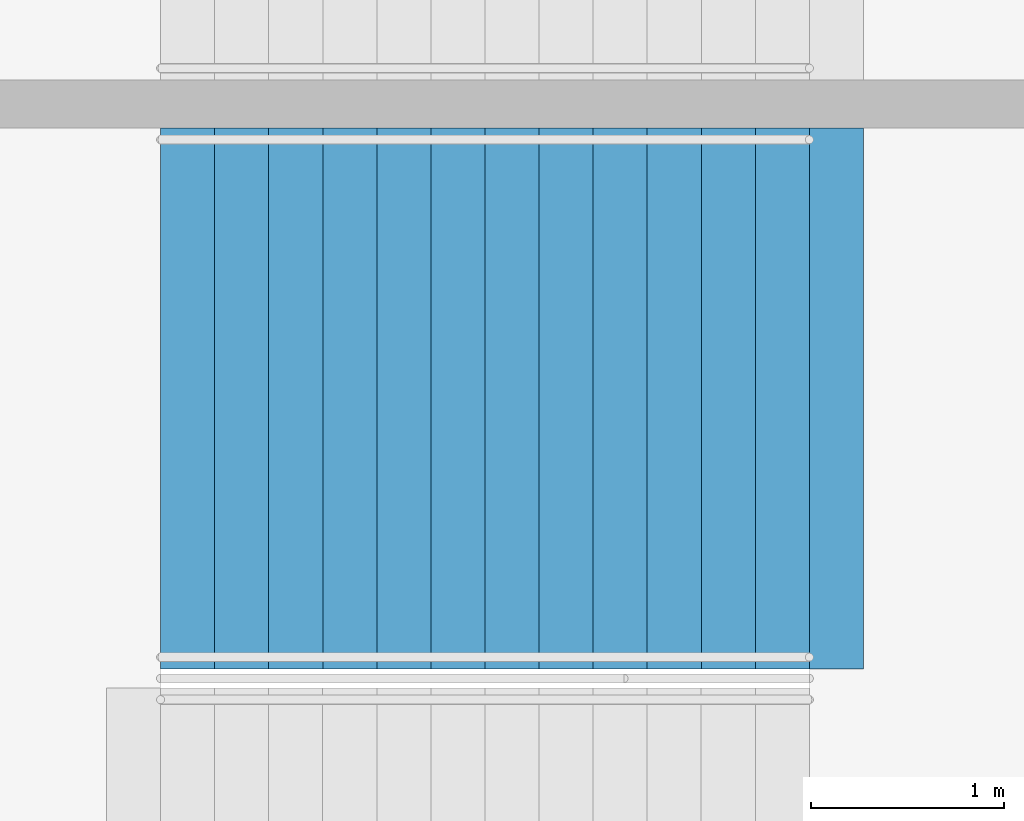
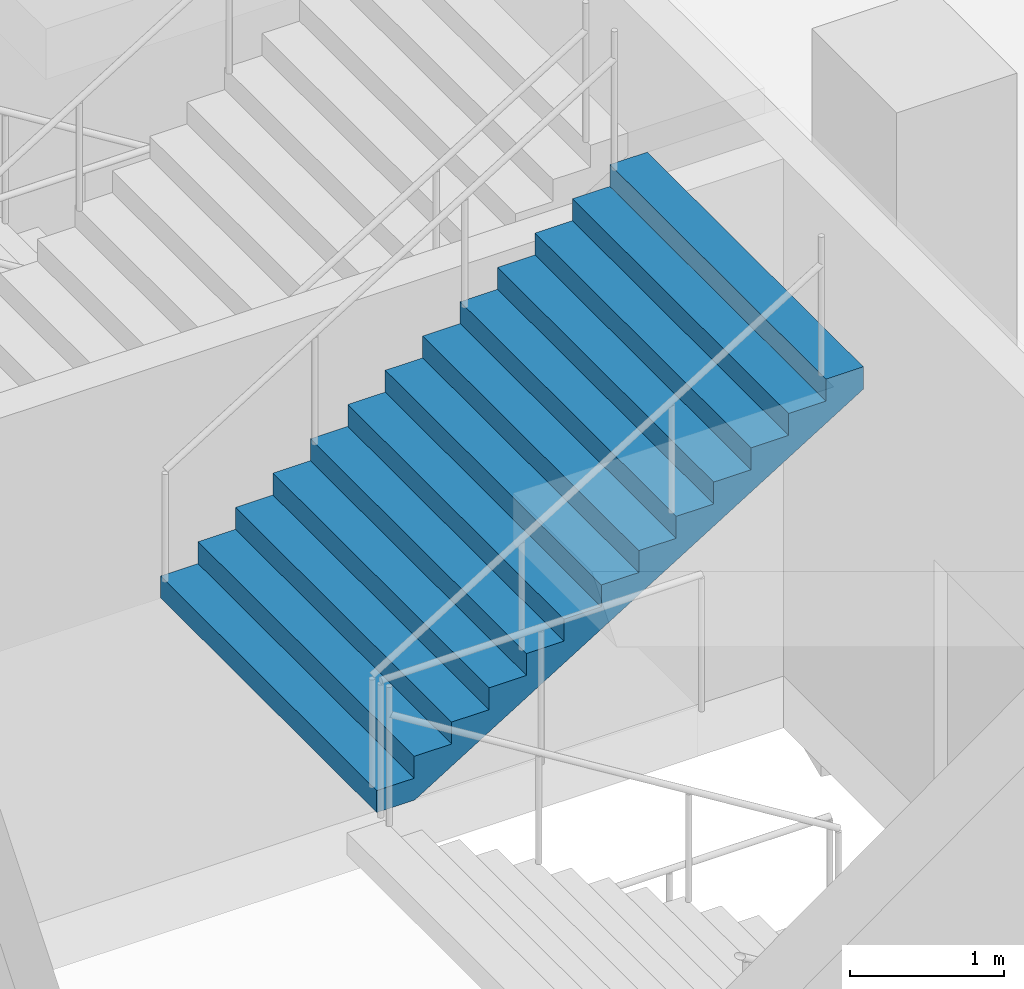
# One storey, part 152 of 199: 1 stair flight, 1 element without a shape of its own.
"""IFC4 building model written with IfcOpenShell, lengths in metres."""

from ifc_helpers import new_model, si_unit, direction, frame, origin, place, context, subcontext, project, spatial, faceted_brep, material, type_object, element, aggregate, save


model = new_model("IFC4")

# Units and contexts
model_context = context("Model", 3, precision=1e-05, world=origin(), true_north=direction((0.0, 1.0)))
body_context = subcontext(model_context, "Body", "Model", "MODEL_VIEW")
ifc_project = project(units=[si_unit("LENGTHUNIT", "METRE"), si_unit("AREAUNIT", "SQUARE_METRE"), si_unit("VOLUMEUNIT", "CUBIC_METRE"), si_unit("PLANEANGLEUNIT", "RADIAN"), si_unit("MASSUNIT", "GRAM", prefix="KILO")], contexts=[model_context])

# Site, building, storey
site_placement = place(None, origin())
site = spatial("IfcSite", under=ifc_project, at=site_placement, CompositionType="ELEMENT")
building_placement = place(site_placement, origin())
building = spatial("IfcBuilding", under=site, at=building_placement, Name="Ogive Plaza Stadium", CompositionType="ELEMENT")
storey_placement = place(building_placement, frame((0.0, 0.0, 9.0)))
storey = spatial("IfcBuildingStorey", under=building, at=storey_placement, Name="L02", CompositionType="ELEMENT", Elevation=9.0)

# Stair, stair flight
ifc_material_1 = material(Name="Concrete C40/50", Category="concrete")
stair_type = type_object("IfcStairType", Name="Exit stair", PredefinedType="STRAIGHT_RUN_STAIR", material=ifc_material_1)
stair_placement = place(storey_placement, origin())
stair = element("IfcStair", 1, at=stair_placement, inside=storey, type_object=stair_type, Name="Exit stair ST28B L02 to L03", PredefinedType="STRAIGHT_RUN_STAIR")
ifc_material_2 = material(Name="Concrete C40/50", Category="concrete")
stair_flight_type = type_object("IfcStairFlightType", Name="Exit stair flight", PredefinedType="STRAIGHT", material=ifc_material_2)
stair_flight_placement = place(storey_placement, frame((-79.7099609375, 50.97509765625, 2.25), z_axis=(0.0, 0.0, 1.0), x_axis=(1.0, 0.0, 0.0)))
stair_flight = element("IfcStairFlight", 2, at=stair_flight_placement, type_object=stair_flight_type, Name="ST28B flight 2", NumberOfRisers=13, NumberOfTreads=12, PredefinedType="STRAIGHT", RiserHeight=0.173076923, TreadLength=0.28, context=body_context, shape_type="Brep", body=[
    faceted_brep([(0.28515625, -1.39990234375, 0.0), (3.639892578125, -1.39990234375, 2.07373046875), (3.639892578125, -1.39990234375, 2.25), (3.360107421875, -1.39990234375, 2.25), (3.360107421875, -1.39990234375, 2.076904296875), (3.080078125, -1.39990234375, 2.076904296875), (3.080078125, -1.39990234375, 1.90380859375), (2.800048828125, -1.39990234375, 1.90380859375), (2.800048828125, -1.39990234375, 1.730712890625), (2.52001953125, -1.39990234375, 1.730712890625), (2.52001953125, -1.39990234375, 1.5576171875), (2.239990234375, -1.39990234375, 1.5576171875), (2.239990234375, -1.39990234375, 1.384521484375), (1.9599609375, -1.39990234375, 1.384521484375), (1.9599609375, -1.39990234375, 1.21142578125), (1.679931640625, -1.39990234375, 1.21142578125), (1.679931640625, -1.39990234375, 1.03857421875), (1.39990234375, -1.39990234375, 1.03857421875), (1.39990234375, -1.39990234375, 0.865478515625), (1.1201171875, -1.39990234375, 0.865478515625), (1.1201171875, -1.39990234375, 0.6923828125), (0.840087890625, -1.39990234375, 0.6923828125), (0.840087890625, -1.39990234375, 0.519287109375), (0.56005859375, -1.39990234375, 0.519287109375), (0.56005859375, -1.39990234375, 0.34619140625), (0.280029296875, -1.39990234375, 0.34619140625), (0.280029296875, -1.39990234375, 0.173095703125), (0.0, -1.39990234375, 0.173095703125), (0.0, -1.39990234375, 0.0), (0.0, 1.39990234375, 0.0), (0.0, 1.39990234375, 0.173095703125), (0.280029296875, 1.39990234375, 0.173095703125), (0.280029296875, 1.39990234375, 0.34619140625), (0.56005859375, 1.39990234375, 0.34619140625), (0.56005859375, 1.39990234375, 0.519287109375), (0.840087890625, 1.39990234375, 0.519287109375), (0.840087890625, 1.39990234375, 0.6923828125), (1.1201171875, 1.39990234375, 0.6923828125), (1.1201171875, 1.39990234375, 0.865478515625), (1.39990234375, 1.39990234375, 0.865478515625), (1.39990234375, 1.39990234375, 1.03857421875), (1.679931640625, 1.39990234375, 1.03857421875), (1.679931640625, 1.39990234375, 1.21142578125), (1.9599609375, 1.39990234375, 1.21142578125), (1.9599609375, 1.39990234375, 1.384521484375), (2.239990234375, 1.39990234375, 1.384521484375), (2.239990234375, 1.39990234375, 1.5576171875), (2.52001953125, 1.39990234375, 1.5576171875), (2.52001953125, 1.39990234375, 1.730712890625), (2.800048828125, 1.39990234375, 1.730712890625), (2.800048828125, 1.39990234375, 1.90380859375), (3.080078125, 1.39990234375, 1.90380859375), (3.080078125, 1.39990234375, 2.076904296875), (3.360107421875, 1.39990234375, 2.076904296875), (3.360107421875, 1.39990234375, 2.25), (3.639892578125, 1.39990234375, 2.25), (3.639892578125, 1.39990234375, 2.07373046875), (0.28515625, 1.39990234375, 0.0), (0.28515625, -1.0888671875, 0.0), (3.639892578125, -1.0888671875, 2.07373046875), (0.28515625, -0.77783203125, 0.0), (3.639892578125, -0.77783203125, 2.07373046875), (0.28515625, -0.466796875, 0.0), (3.639892578125, -0.466796875, 2.07373046875), (0.28515625, -0.155517578125, 0.0), (3.639892578125, -0.155517578125, 2.07373046875), (0.28515625, 0.155517578125, 0.0), (3.639892578125, 0.155517578125, 2.07373046875), (0.28515625, 0.466796875, 0.0), (3.639892578125, 0.466796875, 2.07373046875), (0.28515625, 0.77783203125, 0.0), (3.639892578125, 0.77783203125, 2.07373046875), (0.28515625, 1.0888671875, 0.0), (3.639892578125, 1.0888671875, 2.07373046875), (3.639892578125, -1.0888671875, 2.25), (3.639892578125, -0.77783203125, 2.25), (3.639892578125, -0.466796875, 2.25), (3.639892578125, -0.155517578125, 2.25), (3.639892578125, 0.155517578125, 2.25), (3.639892578125, 0.466796875, 2.25), (3.639892578125, 0.77783203125, 2.25), (3.639892578125, 1.0888671875, 2.25), (3.360107421875, -1.0888671875, 2.25), (3.360107421875, -0.77783203125, 2.25), (3.360107421875, -0.466796875, 2.25), (3.360107421875, -0.155517578125, 2.25), (3.360107421875, 0.155517578125, 2.25), (3.360107421875, 0.466796875, 2.25), (3.360107421875, 0.77783203125, 2.25), (3.360107421875, 1.0888671875, 2.25), (3.360107421875, -1.0888671875, 2.076904296875), (3.360107421875, -0.77783203125, 2.076904296875), (3.360107421875, -0.466796875, 2.076904296875), (3.360107421875, -0.155517578125, 2.076904296875), (3.360107421875, 0.155517578125, 2.076904296875), (3.360107421875, 0.466796875, 2.076904296875), (3.360107421875, 0.77783203125, 2.076904296875), (3.360107421875, 1.0888671875, 2.076904296875), (3.080078125, -1.0888671875, 2.076904296875), (3.080078125, -0.77783203125, 2.076904296875), (3.080078125, -0.466796875, 2.076904296875), (3.080078125, -0.155517578125, 2.076904296875), (3.080078125, 0.155517578125, 2.076904296875), (3.080078125, 0.466796875, 2.076904296875), (3.080078125, 0.77783203125, 2.076904296875), (3.080078125, 1.0888671875, 2.076904296875), (3.080078125, -1.0888671875, 1.90380859375), (3.080078125, -0.77783203125, 1.90380859375), (3.080078125, -0.466796875, 1.90380859375), (3.080078125, -0.155517578125, 1.90380859375), (3.080078125, 0.155517578125, 1.90380859375), (3.080078125, 0.466796875, 1.90380859375), (3.080078125, 0.77783203125, 1.90380859375), (3.080078125, 1.0888671875, 1.90380859375), (2.800048828125, -1.0888671875, 1.90380859375), (2.800048828125, -0.77783203125, 1.90380859375), (2.800048828125, -0.466796875, 1.90380859375), (2.800048828125, -0.155517578125, 1.90380859375), (2.800048828125, 0.155517578125, 1.90380859375), (2.800048828125, 0.466796875, 1.90380859375), (2.800048828125, 0.77783203125, 1.90380859375), (2.800048828125, 1.0888671875, 1.90380859375), (2.800048828125, -1.0888671875, 1.730712890625), (2.800048828125, -0.77783203125, 1.730712890625), (2.800048828125, -0.466796875, 1.730712890625), (2.800048828125, -0.155517578125, 1.730712890625), (2.800048828125, 0.155517578125, 1.730712890625), (2.800048828125, 0.466796875, 1.730712890625), (2.800048828125, 0.77783203125, 1.730712890625), (2.800048828125, 1.0888671875, 1.730712890625), (2.52001953125, -1.0888671875, 1.730712890625), (2.52001953125, -0.77783203125, 1.730712890625), (2.52001953125, -0.466796875, 1.730712890625), (2.52001953125, -0.155517578125, 1.730712890625), (2.52001953125, 0.155517578125, 1.730712890625), (2.52001953125, 0.466796875, 1.730712890625), (2.52001953125, 0.77783203125, 1.730712890625), (2.52001953125, 1.0888671875, 1.730712890625), (2.52001953125, -1.0888671875, 1.5576171875), (2.52001953125, -0.77783203125, 1.5576171875), (2.52001953125, -0.466796875, 1.5576171875), (2.52001953125, -0.155517578125, 1.5576171875), (2.52001953125, 0.155517578125, 1.5576171875), (2.52001953125, 0.466796875, 1.5576171875), (2.52001953125, 0.77783203125, 1.5576171875), (2.52001953125, 1.0888671875, 1.5576171875), (2.239990234375, -1.0888671875, 1.5576171875), (2.239990234375, -0.77783203125, 1.5576171875), (2.239990234375, -0.466796875, 1.5576171875), (2.239990234375, -0.155517578125, 1.5576171875), (2.239990234375, 0.155517578125, 1.5576171875), (2.239990234375, 0.466796875, 1.5576171875), (2.239990234375, 0.77783203125, 1.5576171875), (2.239990234375, 1.0888671875, 1.5576171875), (2.239990234375, -1.0888671875, 1.384521484375), (2.239990234375, -0.77783203125, 1.384521484375), (2.239990234375, -0.466796875, 1.384521484375), (2.239990234375, -0.155517578125, 1.384521484375), (2.239990234375, 0.155517578125, 1.384521484375), (2.239990234375, 0.466796875, 1.384521484375), (2.239990234375, 0.77783203125, 1.384521484375), (2.239990234375, 1.0888671875, 1.384521484375), (1.9599609375, -1.0888671875, 1.384521484375), (1.9599609375, -0.77783203125, 1.384521484375), (1.9599609375, -0.466796875, 1.384521484375), (1.9599609375, -0.155517578125, 1.384521484375), (1.9599609375, 0.155517578125, 1.384521484375), (1.9599609375, 0.466796875, 1.384521484375), (1.9599609375, 0.77783203125, 1.384521484375), (1.9599609375, 1.0888671875, 1.384521484375), (1.9599609375, -1.0888671875, 1.21142578125), (1.9599609375, -0.77783203125, 1.21142578125), (1.9599609375, -0.466796875, 1.21142578125), (1.9599609375, -0.155517578125, 1.21142578125), (1.9599609375, 0.155517578125, 1.21142578125), (1.9599609375, 0.466796875, 1.21142578125), (1.9599609375, 0.77783203125, 1.21142578125), (1.9599609375, 1.0888671875, 1.21142578125), (1.679931640625, -1.0888671875, 1.21142578125), (1.679931640625, -0.77783203125, 1.21142578125), (1.679931640625, -0.466796875, 1.21142578125), (1.679931640625, -0.155517578125, 1.21142578125), (1.679931640625, 0.155517578125, 1.21142578125), (1.679931640625, 0.466796875, 1.21142578125), (1.679931640625, 0.77783203125, 1.21142578125), (1.679931640625, 1.0888671875, 1.21142578125), (1.679931640625, -1.0888671875, 1.03857421875), (1.679931640625, -0.77783203125, 1.03857421875), (1.679931640625, -0.466796875, 1.03857421875), (1.679931640625, -0.155517578125, 1.03857421875), (1.679931640625, 0.155517578125, 1.03857421875), (1.679931640625, 0.466796875, 1.03857421875), (1.679931640625, 0.77783203125, 1.03857421875), (1.679931640625, 1.0888671875, 1.03857421875), (1.39990234375, -1.0888671875, 1.03857421875), (1.39990234375, -0.77783203125, 1.03857421875), (1.39990234375, -0.466796875, 1.03857421875), (1.39990234375, -0.155517578125, 1.03857421875), (1.39990234375, 0.155517578125, 1.03857421875), (1.39990234375, 0.466796875, 1.03857421875), (1.39990234375, 0.77783203125, 1.03857421875), (1.39990234375, 1.0888671875, 1.03857421875), (1.39990234375, -1.0888671875, 0.865478515625), (1.39990234375, -0.77783203125, 0.865478515625), (1.39990234375, -0.466796875, 0.865478515625), (1.39990234375, -0.155517578125, 0.865478515625), (1.39990234375, 0.155517578125, 0.865478515625), (1.39990234375, 0.466796875, 0.865478515625), (1.39990234375, 0.77783203125, 0.865478515625), (1.39990234375, 1.0888671875, 0.865478515625), (1.1201171875, -1.0888671875, 0.865478515625), (1.1201171875, -0.77783203125, 0.865478515625), (1.1201171875, -0.466796875, 0.865478515625), (1.1201171875, -0.155517578125, 0.865478515625), (1.1201171875, 0.155517578125, 0.865478515625), (1.1201171875, 0.466796875, 0.865478515625), (1.1201171875, 0.77783203125, 0.865478515625), (1.1201171875, 1.0888671875, 0.865478515625), (1.1201171875, -1.0888671875, 0.6923828125), (1.1201171875, -0.77783203125, 0.6923828125), (1.1201171875, -0.466796875, 0.6923828125), (1.1201171875, -0.155517578125, 0.6923828125), (1.1201171875, 0.155517578125, 0.6923828125), (1.1201171875, 0.466796875, 0.6923828125), (1.1201171875, 0.77783203125, 0.6923828125), (1.1201171875, 1.0888671875, 0.6923828125), (0.840087890625, -1.0888671875, 0.6923828125), (0.840087890625, -0.77783203125, 0.6923828125), (0.840087890625, -0.466796875, 0.6923828125), (0.840087890625, -0.155517578125, 0.6923828125), (0.840087890625, 0.155517578125, 0.6923828125), (0.840087890625, 0.466796875, 0.6923828125), (0.840087890625, 0.77783203125, 0.6923828125), (0.840087890625, 1.0888671875, 0.6923828125), (0.840087890625, -1.0888671875, 0.519287109375), (0.840087890625, -0.77783203125, 0.519287109375), (0.840087890625, -0.466796875, 0.519287109375), (0.840087890625, -0.155517578125, 0.519287109375), (0.840087890625, 0.155517578125, 0.519287109375), (0.840087890625, 0.466796875, 0.519287109375), (0.840087890625, 0.77783203125, 0.519287109375), (0.840087890625, 1.0888671875, 0.519287109375), (0.56005859375, -1.0888671875, 0.519287109375), (0.56005859375, -0.77783203125, 0.519287109375), (0.56005859375, -0.466796875, 0.519287109375), (0.56005859375, -0.155517578125, 0.519287109375), (0.56005859375, 0.155517578125, 0.519287109375), (0.56005859375, 0.466796875, 0.519287109375), (0.56005859375, 0.77783203125, 0.519287109375), (0.56005859375, 1.0888671875, 0.519287109375), (0.56005859375, -1.0888671875, 0.34619140625), (0.56005859375, -0.77783203125, 0.34619140625), (0.56005859375, -0.466796875, 0.34619140625), (0.56005859375, -0.155517578125, 0.34619140625), (0.56005859375, 0.155517578125, 0.34619140625), (0.56005859375, 0.466796875, 0.34619140625), (0.56005859375, 0.77783203125, 0.34619140625), (0.56005859375, 1.0888671875, 0.34619140625), (0.280029296875, -1.0888671875, 0.34619140625), (0.280029296875, -0.77783203125, 0.34619140625), (0.280029296875, -0.466796875, 0.34619140625), (0.280029296875, -0.155517578125, 0.34619140625), (0.280029296875, 0.155517578125, 0.34619140625), (0.280029296875, 0.466796875, 0.34619140625), (0.280029296875, 0.77783203125, 0.34619140625), (0.280029296875, 1.0888671875, 0.34619140625), (0.280029296875, -1.0888671875, 0.173095703125), (0.280029296875, -0.77783203125, 0.173095703125), (0.280029296875, -0.466796875, 0.173095703125), (0.280029296875, -0.155517578125, 0.173095703125), (0.280029296875, 0.155517578125, 0.173095703125), (0.280029296875, 0.466796875, 0.173095703125), (0.280029296875, 0.77783203125, 0.173095703125), (0.280029296875, 1.0888671875, 0.173095703125), (0.0, -1.0888671875, 0.173095703125), (0.0, -0.77783203125, 0.173095703125), (0.0, -0.466796875, 0.173095703125), (0.0, -0.155517578125, 0.173095703125), (0.0, 0.155517578125, 0.173095703125), (0.0, 0.466796875, 0.173095703125), (0.0, 0.77783203125, 0.173095703125), (0.0, 1.0888671875, 0.173095703125), (0.0, -1.0888671875, 0.0), (0.0, -0.77783203125, 0.0), (0.0, -0.466796875, 0.0), (0.0, -0.155517578125, 0.0), (0.0, 0.155517578125, 0.0), (0.0, 0.466796875, 0.0), (0.0, 0.77783203125, 0.0), (0.0, 1.0888671875, 0.0)], [[[0, 1, 2, 3, 4, 5, 6, 7, 8, 9, 10, 11, 12, 13, 14, 15, 16, 17, 18, 19, 20, 21, 22, 23, 24, 25, 26, 27, 28]], [[29, 30, 31, 32, 33, 34, 35, 36, 37, 38, 39, 40, 41, 42, 43, 44, 45, 46, 47, 48, 49, 50, 51, 52, 53, 54, 55, 56, 57]], [[0, 58, 59, 1]], [[58, 60, 61, 59]], [[60, 62, 63, 61]], [[62, 64, 65, 63]], [[64, 66, 67, 65]], [[66, 68, 69, 67]], [[68, 70, 71, 69]], [[70, 72, 73, 71]], [[72, 57, 56, 73]], [[1, 59, 74, 2]], [[59, 61, 75, 74]], [[61, 63, 76, 75]], [[63, 65, 77, 76]], [[65, 67, 78, 77]], [[67, 69, 79, 78]], [[69, 71, 80, 79]], [[71, 73, 81, 80]], [[73, 56, 55, 81]], [[2, 74, 82, 3]], [[74, 75, 83, 82]], [[75, 76, 84, 83]], [[76, 77, 85, 84]], [[77, 78, 86, 85]], [[78, 79, 87, 86]], [[79, 80, 88, 87]], [[80, 81, 89, 88]], [[81, 55, 54, 89]], [[3, 82, 90, 4]], [[82, 83, 91, 90]], [[83, 84, 92, 91]], [[84, 85, 93, 92]], [[85, 86, 94, 93]], [[86, 87, 95, 94]], [[87, 88, 96, 95]], [[88, 89, 97, 96]], [[89, 54, 53, 97]], [[4, 90, 98, 5]], [[90, 91, 99, 98]], [[91, 92, 100, 99]], [[92, 93, 101, 100]], [[93, 94, 102, 101]], [[94, 95, 103, 102]], [[95, 96, 104, 103]], [[96, 97, 105, 104]], [[97, 53, 52, 105]], [[5, 98, 106, 6]], [[98, 99, 107, 106]], [[99, 100, 108, 107]], [[100, 101, 109, 108]], [[101, 102, 110, 109]], [[102, 103, 111, 110]], [[103, 104, 112, 111]], [[104, 105, 113, 112]], [[105, 52, 51, 113]], [[6, 106, 114, 7]], [[106, 107, 115, 114]], [[107, 108, 116, 115]], [[108, 109, 117, 116]], [[109, 110, 118, 117]], [[110, 111, 119, 118]], [[111, 112, 120, 119]], [[112, 113, 121, 120]], [[113, 51, 50, 121]], [[7, 114, 122, 8]], [[114, 115, 123, 122]], [[115, 116, 124, 123]], [[116, 117, 125, 124]], [[117, 118, 126, 125]], [[118, 119, 127, 126]], [[119, 120, 128, 127]], [[120, 121, 129, 128]], [[121, 50, 49, 129]], [[8, 122, 130, 9]], [[122, 123, 131, 130]], [[123, 124, 132, 131]], [[124, 125, 133, 132]], [[125, 126, 134, 133]], [[126, 127, 135, 134]], [[127, 128, 136, 135]], [[128, 129, 137, 136]], [[129, 49, 48, 137]], [[9, 130, 138, 10]], [[130, 131, 139, 138]], [[131, 132, 140, 139]], [[132, 133, 141, 140]], [[133, 134, 142, 141]], [[134, 135, 143, 142]], [[135, 136, 144, 143]], [[136, 137, 145, 144]], [[137, 48, 47, 145]], [[10, 138, 146, 11]], [[138, 139, 147, 146]], [[139, 140, 148, 147]], [[140, 141, 149, 148]], [[141, 142, 150, 149]], [[142, 143, 151, 150]], [[143, 144, 152, 151]], [[144, 145, 153, 152]], [[145, 47, 46, 153]], [[11, 146, 154, 12]], [[146, 147, 155, 154]], [[147, 148, 156, 155]], [[148, 149, 157, 156]], [[149, 150, 158, 157]], [[150, 151, 159, 158]], [[151, 152, 160, 159]], [[152, 153, 161, 160]], [[153, 46, 45, 161]], [[12, 154, 162, 13]], [[154, 155, 163, 162]], [[155, 156, 164, 163]], [[156, 157, 165, 164]], [[157, 158, 166, 165]], [[158, 159, 167, 166]], [[159, 160, 168, 167]], [[160, 161, 169, 168]], [[161, 45, 44, 169]], [[13, 162, 170, 14]], [[162, 163, 171, 170]], [[163, 164, 172, 171]], [[164, 165, 173, 172]], [[165, 166, 174, 173]], [[166, 167, 175, 174]], [[167, 168, 176, 175]], [[168, 169, 177, 176]], [[169, 44, 43, 177]], [[14, 170, 178, 15]], [[170, 171, 179, 178]], [[171, 172, 180, 179]], [[172, 173, 181, 180]], [[173, 174, 182, 181]], [[174, 175, 183, 182]], [[175, 176, 184, 183]], [[176, 177, 185, 184]], [[177, 43, 42, 185]], [[15, 178, 186, 16]], [[178, 179, 187, 186]], [[179, 180, 188, 187]], [[180, 181, 189, 188]], [[181, 182, 190, 189]], [[182, 183, 191, 190]], [[183, 184, 192, 191]], [[184, 185, 193, 192]], [[185, 42, 41, 193]], [[16, 186, 194, 17]], [[186, 187, 195, 194]], [[187, 188, 196, 195]], [[188, 189, 197, 196]], [[189, 190, 198, 197]], [[190, 191, 199, 198]], [[191, 192, 200, 199]], [[192, 193, 201, 200]], [[193, 41, 40, 201]], [[17, 194, 202, 18]], [[194, 195, 203, 202]], [[195, 196, 204, 203]], [[196, 197, 205, 204]], [[197, 198, 206, 205]], [[198, 199, 207, 206]], [[199, 200, 208, 207]], [[200, 201, 209, 208]], [[201, 40, 39, 209]], [[18, 202, 210, 19]], [[202, 203, 211, 210]], [[203, 204, 212, 211]], [[204, 205, 213, 212]], [[205, 206, 214, 213]], [[206, 207, 215, 214]], [[207, 208, 216, 215]], [[208, 209, 217, 216]], [[209, 39, 38, 217]], [[19, 210, 218, 20]], [[210, 211, 219, 218]], [[211, 212, 220, 219]], [[212, 213, 221, 220]], [[213, 214, 222, 221]], [[214, 215, 223, 222]], [[215, 216, 224, 223]], [[216, 217, 225, 224]], [[217, 38, 37, 225]], [[20, 218, 226, 21]], [[218, 219, 227, 226]], [[219, 220, 228, 227]], [[220, 221, 229, 228]], [[221, 222, 230, 229]], [[222, 223, 231, 230]], [[223, 224, 232, 231]], [[224, 225, 233, 232]], [[225, 37, 36, 233]], [[21, 226, 234, 22]], [[226, 227, 235, 234]], [[227, 228, 236, 235]], [[228, 229, 237, 236]], [[229, 230, 238, 237]], [[230, 231, 239, 238]], [[231, 232, 240, 239]], [[232, 233, 241, 240]], [[233, 36, 35, 241]], [[22, 234, 242, 23]], [[234, 235, 243, 242]], [[235, 236, 244, 243]], [[236, 237, 245, 244]], [[237, 238, 246, 245]], [[238, 239, 247, 246]], [[239, 240, 248, 247]], [[240, 241, 249, 248]], [[241, 35, 34, 249]], [[23, 242, 250, 24]], [[242, 243, 251, 250]], [[243, 244, 252, 251]], [[244, 245, 253, 252]], [[245, 246, 254, 253]], [[246, 247, 255, 254]], [[247, 248, 256, 255]], [[248, 249, 257, 256]], [[249, 34, 33, 257]], [[24, 250, 258, 25]], [[250, 251, 259, 258]], [[251, 252, 260, 259]], [[252, 253, 261, 260]], [[253, 254, 262, 261]], [[254, 255, 263, 262]], [[255, 256, 264, 263]], [[256, 257, 265, 264]], [[257, 33, 32, 265]], [[25, 258, 266, 26]], [[258, 259, 267, 266]], [[259, 260, 268, 267]], [[260, 261, 269, 268]], [[261, 262, 270, 269]], [[262, 263, 271, 270]], [[263, 264, 272, 271]], [[264, 265, 273, 272]], [[265, 32, 31, 273]], [[26, 266, 274, 27]], [[266, 267, 275, 274]], [[267, 268, 276, 275]], [[268, 269, 277, 276]], [[269, 270, 278, 277]], [[270, 271, 279, 278]], [[271, 272, 280, 279]], [[272, 273, 281, 280]], [[273, 31, 30, 281]], [[27, 274, 282, 28]], [[274, 275, 283, 282]], [[275, 276, 284, 283]], [[276, 277, 285, 284]], [[277, 278, 286, 285]], [[278, 279, 287, 286]], [[279, 280, 288, 287]], [[280, 281, 289, 288]], [[281, 30, 29, 289]], [[28, 282, 58, 0]], [[282, 283, 60, 58]], [[283, 284, 62, 60]], [[284, 285, 64, 62]], [[285, 286, 66, 64]], [[286, 287, 68, 66]], [[287, 288, 70, 68]], [[288, 289, 72, 70]], [[289, 29, 57, 72]]]),
])
aggregate(stair, [stair_flight])

save(model, "model.ifc")
